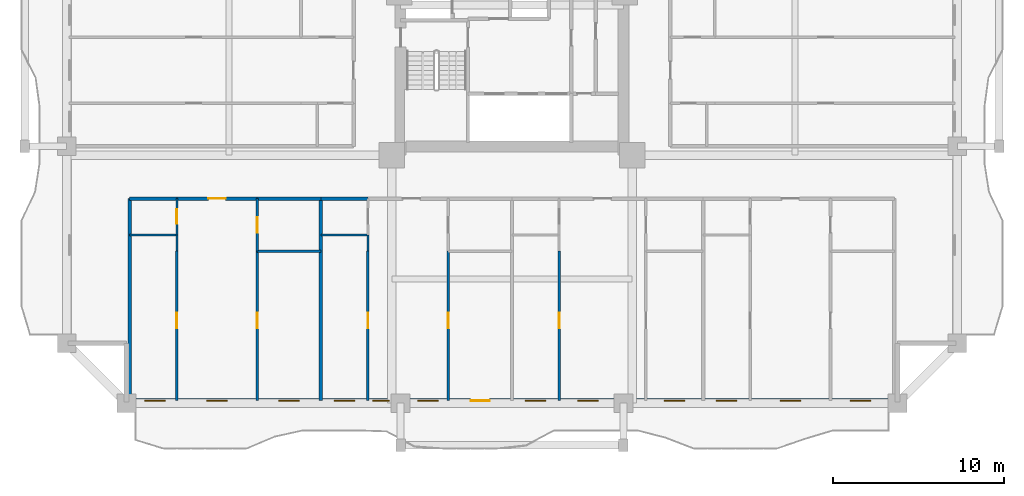
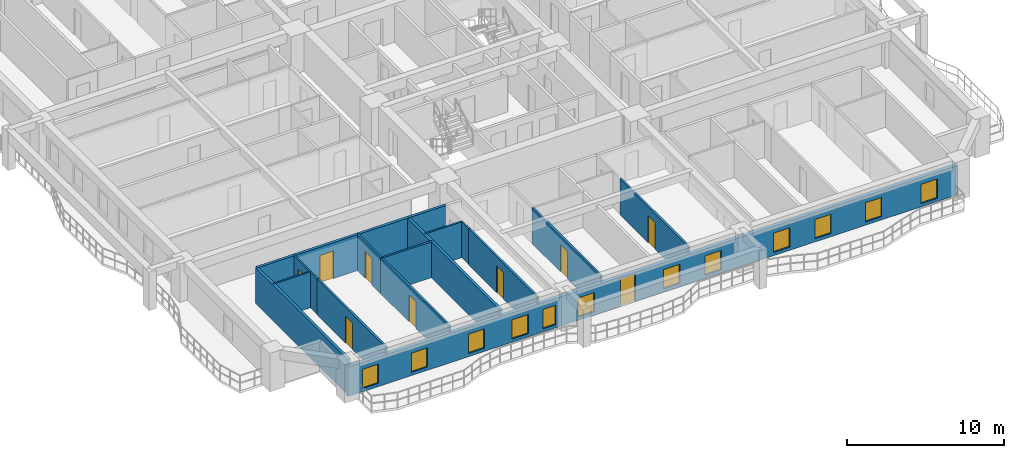
# One storey, part 2 of 16: 19 walls, 12 windows, 9 doors, 21 openings.
"""IFC4 building model written with IfcOpenShell, lengths in metres."""

from ifc_helpers import new_model, si_unit, direction, frame, frame_2d, origin, place, context, subcontext, project, spatial, rectangle, extrude, source, transform, mapped, material, layer, layer_set, type_object, element, fill, save


model = new_model("IFC4")

# Units and contexts
model_context = context("Model", 3, precision=1e-05, world=origin(), true_north=direction((0.0, 1.0)))
body_context = subcontext(model_context, "Body", "Model", "MODEL_VIEW")
ifc_project = project(units=[si_unit("LENGTHUNIT", "METRE"), si_unit("AREAUNIT", "SQUARE_METRE"), si_unit("VOLUMEUNIT", "CUBIC_METRE"), si_unit("PLANEANGLEUNIT", "RADIAN"), si_unit("MASSUNIT", "GRAM", prefix="KILO")], contexts=[model_context])

# Site, building, storey
site_placement = place(None, origin())
site = spatial("IfcSite", under=ifc_project, at=site_placement, CompositionType="ELEMENT")
building_placement = place(site_placement, origin())
building = spatial("IfcBuilding", under=site, at=building_placement, Name="Saelheon Loggia Tower", CompositionType="ELEMENT")
storey_placement = place(building_placement, frame((0.0, 0.0, 64.39990234375)))
storey = spatial("IfcBuildingStorey", under=building, at=storey_placement, Name="L20", CompositionType="ELEMENT", Elevation=64.39990234375)

# Wall, openings, windows, door
ifc_material_1 = material(Name="Architectural Precast Concrete C40/50", Category="concrete")
ifc_layer_1 = layer(ifc_material_1, 0.280029296875)
ifc_layer_set_1 = layer_set([ifc_layer_1], Name="Architectural Precast Concrete C40/50")
wall_type_1 = type_object("IfcWallType", Name="Wall_Ext_Loggia_280", PredefinedType="SOLIDWALL", material=ifc_layer_set_1)
wall_1_placement = place(storey_placement, frame((15.5, 3.139892578125, 0.0), z_axis=(0.0, 0.0, 1.0), x_axis=(1.0, 0.0, 0.0)))
wall_1 = element("IfcWall", 1, at=wall_1_placement, inside=storey, type_object=wall_type_1, Name="L20 South Loggia Inner Wall", PredefinedType="SOLIDWALL", context=body_context, shape_type="SweptSolid", body=[
    extrude(rectangle(XDim=45.0, YDim=0.280029296875, at=frame_2d((22.5, 0.0))), origin(), (0.0, 0.0, 1.0), 2.280029296875),
])
opening_1_placement = place(wall_1_placement, frame((1.06005859375, 0.0, 0.25)))
opening_1 = element("IfcOpeningElement", 2, at=opening_1_placement, cuts=wall_1, Name="Opening WN-03", PredefinedType="OPENING", context=body_context, shape_type="SweptSolid", body=[
    extrude(rectangle(XDim=1.199951171875, YDim=1.5, at=frame_2d((0.60009765625, 0.75))), frame((0.0, 0.152099609375, 0.0), z_axis=(0.0, -1.0, 0.0), x_axis=(1.0, 0.0, 0.0)), (0.0, 0.0, 1.0), 0.303955078125),
])
opening_2_placement = place(wall_1_placement, frame((4.673583984375, 0.0, 0.25)))
opening_2 = element("IfcOpeningElement", 3, at=opening_2_placement, cuts=wall_1, Name="Opening WN-03", PredefinedType="OPENING", context=body_context, shape_type="SweptSolid", body=[
    extrude(rectangle(XDim=1.199951171875, YDim=1.5, at=frame_2d((0.60009765625, 0.75))), frame((0.0, 0.152099609375, 0.0), z_axis=(0.0, -1.0, 0.0), x_axis=(1.0, 0.0, 0.0)), (0.0, 0.0, 1.0), 0.303955078125),
])
opening_3_placement = place(wall_1_placement, frame((8.878662109375, 0.0, 0.25)))
opening_3 = element("IfcOpeningElement", 4, at=opening_3_placement, cuts=wall_1, Name="Opening WN-03", PredefinedType="OPENING", context=body_context, shape_type="SweptSolid", body=[
    extrude(rectangle(XDim=1.199951171875, YDim=1.5, at=frame_2d((0.60009765625, 0.75))), frame((0.0, 0.152099609375, 0.0), z_axis=(0.0, -1.0, 0.0), x_axis=(1.0, 0.0, 0.0)), (0.0, 0.0, 1.0), 0.303955078125),
])
opening_4_placement = place(wall_1_placement, frame((12.114990234375, 0.0, 0.25)))
opening_4 = element("IfcOpeningElement", 5, at=opening_4_placement, cuts=wall_1, Name="Opening WN-03", PredefinedType="OPENING", context=body_context, shape_type="SweptSolid", body=[
    extrude(rectangle(XDim=1.199951171875, YDim=1.5, at=frame_2d((0.60009765625, 0.75))), frame((0.0, 0.152099609375, 0.0), z_axis=(0.0, -1.0, 0.0), x_axis=(1.0, 0.0, 0.0)), (0.0, 0.0, 1.0), 0.303955078125),
])
opening_5_placement = place(wall_1_placement, frame((14.375, 0.0, 0.25)))
opening_5 = element("IfcOpeningElement", 6, at=opening_5_placement, cuts=wall_1, Name="Opening WN-04", PredefinedType="OPENING", context=body_context, shape_type="SweptSolid", body=[
    extrude(rectangle(XDim=0.949951171875, YDim=1.5, at=frame_2d((0.47509765625, 0.75))), frame((0.0, 0.152099609375, 0.0), z_axis=(0.0, -1.0, 0.0), x_axis=(1.0, 0.0, 0.0)), (0.0, 0.0, 1.0), 0.303955078125),
])
opening_6_placement = place(wall_1_placement, frame((16.983642578125, 0.0, 0.25)))
opening_6 = element("IfcOpeningElement", 7, at=opening_6_placement, cuts=wall_1, Name="Opening WN-03", PredefinedType="OPENING", context=body_context, shape_type="SweptSolid", body=[
    extrude(rectangle(XDim=1.199951171875, YDim=1.5, at=frame_2d((0.60009765625, 0.75))), frame((0.0, 0.152099609375, 0.0), z_axis=(0.0, -1.0, 0.0), x_axis=(1.0, 0.0, 0.0)), (0.0, 0.0, 1.0), 0.303955078125),
])
opening_7_placement = place(wall_1_placement, frame((21.188720703125, 0.0, 0.0), z_axis=(0.0, 0.0, 1.0), x_axis=(-1.0, 0.0, 0.0)))
opening_7 = element("IfcOpeningElement", 8, at=opening_7_placement, cuts=wall_1, Name="Opening TD1", PredefinedType="OPENING", context=body_context, shape_type="SweptSolid", body=[
    extrude(rectangle(XDim=1.10009765625, YDim=2.14990234375, at=frame_2d((0.550048828125, 1.074951171875))), frame((0.0, 0.152099609375, 0.0), z_axis=(0.0, -1.0, 0.0), x_axis=(1.0, 0.0, 0.0)), (0.0, 0.0, 1.0), 0.303955078125),
])
opening_8_placement = place(wall_1_placement, frame((23.27490234375, 0.0, 0.25)))
opening_8 = element("IfcOpeningElement", 9, at=opening_8_placement, cuts=wall_1, Name="Opening WN-03", PredefinedType="OPENING", context=body_context, shape_type="SweptSolid", body=[
    extrude(rectangle(XDim=1.199951171875, YDim=1.5, at=frame_2d((0.60009765625, 0.75))), frame((0.0, 0.152099609375, 0.0), z_axis=(0.0, -1.0, 0.0), x_axis=(1.0, 0.0, 0.0)), (0.0, 0.0, 1.0), 0.303955078125),
])
opening_9_placement = place(wall_1_placement, frame((26.330078125, 0.0, 0.25)))
opening_9 = element("IfcOpeningElement", 10, at=opening_9_placement, cuts=wall_1, Name="Opening WN-03", PredefinedType="OPENING", context=body_context, shape_type="SweptSolid", body=[
    extrude(rectangle(XDim=1.199951171875, YDim=1.5, at=frame_2d((0.60009765625, 0.75))), frame((0.0, 0.152099609375, 0.0), z_axis=(0.0, -1.0, 0.0), x_axis=(1.0, 0.0, 0.0)), (0.0, 0.0, 1.0), 0.303955078125),
])
opening_10_placement = place(wall_1_placement, frame((31.389892578125, 0.0, 0.25)))
opening_10 = element("IfcOpeningElement", 11, at=opening_10_placement, cuts=wall_1, Name="Opening WN-03", PredefinedType="OPENING", context=body_context, shape_type="SweptSolid", body=[
    extrude(rectangle(XDim=1.199951171875, YDim=1.5, at=frame_2d((0.60009765625, 0.75))), frame((0.0, 0.152099609375, 0.0), z_axis=(0.0, -1.0, 0.0), x_axis=(1.0, 0.0, 0.0)), (0.0, 0.0, 1.0), 0.303955078125),
])
opening_11_placement = place(wall_1_placement, frame((34.43505859375, 0.0, 0.25)))
opening_11 = element("IfcOpeningElement", 12, at=opening_11_placement, cuts=wall_1, Name="Opening WN-03", PredefinedType="OPENING", context=body_context, shape_type="SweptSolid", body=[
    extrude(rectangle(XDim=1.199951171875, YDim=1.5, at=frame_2d((0.60009765625, 0.75))), frame((0.0, 0.152099609375, 0.0), z_axis=(0.0, -1.0, 0.0), x_axis=(1.0, 0.0, 0.0)), (0.0, 0.0, 1.0), 0.303955078125),
])
opening_12_placement = place(wall_1_placement, frame((38.153564453125, 0.0, 0.25)))
opening_12 = element("IfcOpeningElement", 13, at=opening_12_placement, cuts=wall_1, Name="Opening WN-03", PredefinedType="OPENING", context=body_context, shape_type="SweptSolid", body=[
    extrude(rectangle(XDim=1.199951171875, YDim=1.5, at=frame_2d((0.60009765625, 0.75))), frame((0.0, 0.152099609375, 0.0), z_axis=(0.0, -1.0, 0.0), x_axis=(1.0, 0.0, 0.0)), (0.0, 0.0, 1.0), 0.303955078125),
])
opening_13_placement = place(wall_1_placement, frame((42.253662109375, 0.0, 0.25)))
opening_13 = element("IfcOpeningElement", 14, at=opening_13_placement, cuts=wall_1, Name="Opening WN-03", PredefinedType="OPENING", context=body_context, shape_type="SweptSolid", body=[
    extrude(rectangle(XDim=1.199951171875, YDim=1.5, at=frame_2d((0.60009765625, 0.75))), frame((0.0, 0.152099609375, 0.0), z_axis=(0.0, -1.0, 0.0), x_axis=(1.0, 0.0, 0.0)), (0.0, 0.0, 1.0), 0.303955078125),
])
ifc_material_2 = material(Name="Thermal-Break Aluminium and Triple Low-E Glass", Category="aluminium")
window_type_1 = type_object("IfcWindowType", Name="Win_Bedroom_1200x1500", PartitioningType="SINGLE_PANEL", PredefinedType="WINDOW", material=ifc_material_2)
shared_shape_1 = source(origin(), body_context, "Body", "SweptSolid", [
    extrude(rectangle(XDim=1.199951171875, YDim=1.5, at=frame_2d((0.60009765625, 0.75))), frame((0.0, 0.030029296875, 0.0), z_axis=(0.0, -1.0, 0.0), x_axis=(1.0, 0.0, 0.0)), (0.0, 0.0, 1.0), 0.06005859375),
])
window_1_placement = place(opening_1_placement, origin())
window_1 = element("IfcWindow", 15, at=window_1_placement, inside=storey, type_object=window_type_1, Name="L20 S Dwelling Window 1", OverallHeight=1.5, OverallWidth=1.199951171875, PartitioningType="SINGLE_PANEL", PredefinedType="WINDOW", context=body_context, shape_type="MappedRepresentation", body=[
    mapped(shared_shape_1, transform((0.0, 0.0, 0.0), scale=1.0)),
])
fill(opening_1, window_1)
window_2_placement = place(opening_2_placement, origin())
window_2 = element("IfcWindow", 16, at=window_2_placement, inside=storey, type_object=window_type_1, Name="L20 S Dwelling Window 2", OverallHeight=1.5, OverallWidth=1.199951171875, PartitioningType="SINGLE_PANEL", PredefinedType="WINDOW", context=body_context, shape_type="MappedRepresentation", body=[
    mapped(shared_shape_1, transform((0.0, 0.0, 0.0), scale=1.0)),
])
fill(opening_2, window_2)
window_3_placement = place(opening_3_placement, origin())
window_3 = element("IfcWindow", 17, at=window_3_placement, inside=storey, type_object=window_type_1, Name="L20 S Dwelling Window 3", OverallHeight=1.5, OverallWidth=1.199951171875, PartitioningType="SINGLE_PANEL", PredefinedType="WINDOW", context=body_context, shape_type="MappedRepresentation", body=[
    mapped(shared_shape_1, transform((0.0, 0.0, 0.0), scale=1.0)),
])
fill(opening_3, window_3)
window_4_placement = place(opening_4_placement, origin())
window_4 = element("IfcWindow", 18, at=window_4_placement, inside=storey, type_object=window_type_1, Name="L20 S Dwelling Window 4", OverallHeight=1.5, OverallWidth=1.199951171875, PartitioningType="SINGLE_PANEL", PredefinedType="WINDOW", context=body_context, shape_type="MappedRepresentation", body=[
    mapped(shared_shape_1, transform((0.0, 0.0, 0.0), scale=1.0)),
])
fill(opening_4, window_4)
window_5_placement = place(opening_6_placement, origin())
window_5 = element("IfcWindow", 19, at=window_5_placement, inside=storey, type_object=window_type_1, Name="L20 S Dwelling Window 6", OverallHeight=1.5, OverallWidth=1.199951171875, PartitioningType="SINGLE_PANEL", PredefinedType="WINDOW", context=body_context, shape_type="MappedRepresentation", body=[
    mapped(shared_shape_1, transform((0.0, 0.0, 0.0), scale=1.0)),
])
fill(opening_6, window_5)
window_6_placement = place(opening_8_placement, origin())
window_6 = element("IfcWindow", 20, at=window_6_placement, inside=storey, type_object=window_type_1, Name="L20 S Dwelling Window 8", OverallHeight=1.5, OverallWidth=1.199951171875, PartitioningType="SINGLE_PANEL", PredefinedType="WINDOW", context=body_context, shape_type="MappedRepresentation", body=[
    mapped(shared_shape_1, transform((0.0, 0.0, 0.0), scale=1.0)),
])
fill(opening_8, window_6)
window_7_placement = place(opening_9_placement, origin())
window_7 = element("IfcWindow", 21, at=window_7_placement, inside=storey, type_object=window_type_1, Name="L20 S Dwelling Window 9", OverallHeight=1.5, OverallWidth=1.199951171875, PartitioningType="SINGLE_PANEL", PredefinedType="WINDOW", context=body_context, shape_type="MappedRepresentation", body=[
    mapped(shared_shape_1, transform((0.0, 0.0, 0.0), scale=1.0)),
])
fill(opening_9, window_7)
window_8_placement = place(opening_10_placement, origin())
window_8 = element("IfcWindow", 22, at=window_8_placement, inside=storey, type_object=window_type_1, Name="L20 S Dwelling Window 10", OverallHeight=1.5, OverallWidth=1.199951171875, PartitioningType="SINGLE_PANEL", PredefinedType="WINDOW", context=body_context, shape_type="MappedRepresentation", body=[
    mapped(shared_shape_1, transform((0.0, 0.0, 0.0), scale=1.0)),
])
fill(opening_10, window_8)
window_9_placement = place(opening_11_placement, origin())
window_9 = element("IfcWindow", 23, at=window_9_placement, inside=storey, type_object=window_type_1, Name="L20 S Dwelling Window 11", OverallHeight=1.5, OverallWidth=1.199951171875, PartitioningType="SINGLE_PANEL", PredefinedType="WINDOW", context=body_context, shape_type="MappedRepresentation", body=[
    mapped(shared_shape_1, transform((0.0, 0.0, 0.0), scale=1.0)),
])
fill(opening_11, window_9)
window_10_placement = place(opening_12_placement, origin())
window_10 = element("IfcWindow", 24, at=window_10_placement, inside=storey, type_object=window_type_1, Name="L20 S Dwelling Window 12", OverallHeight=1.5, OverallWidth=1.199951171875, PartitioningType="SINGLE_PANEL", PredefinedType="WINDOW", context=body_context, shape_type="MappedRepresentation", body=[
    mapped(shared_shape_1, transform((0.0, 0.0, 0.0), scale=1.0)),
])
fill(opening_12, window_10)
window_11_placement = place(opening_13_placement, origin())
window_11 = element("IfcWindow", 25, at=window_11_placement, inside=storey, type_object=window_type_1, Name="L20 S Dwelling Window 13", OverallHeight=1.5, OverallWidth=1.199951171875, PartitioningType="SINGLE_PANEL", PredefinedType="WINDOW", context=body_context, shape_type="MappedRepresentation", body=[
    mapped(shared_shape_1, transform((0.0, 0.0, 0.0), scale=1.0)),
])
fill(opening_13, window_11)
ifc_material_3 = material(Name="Thermal-Break Aluminium Glazed Door", Category="aluminium")
door_type_1 = type_object("IfcDoorType", Name="Door_Terrace_TD1", OperationType="NOTDEFINED", PredefinedType="DOOR", material=ifc_material_3)
shared_shape_2 = source(origin(), body_context, "Body", "SweptSolid", [
    extrude(rectangle(XDim=1.10009765625, YDim=2.14990234375, at=frame_2d((0.550048828125, 1.074951171875))), frame((0.0, 0.02490234375, 0.0), z_axis=(0.0, -1.0, 0.0), x_axis=(1.0, 0.0, 0.0)), (0.0, 0.0, 1.0), 0.050048828125),
])
door_1_placement = place(opening_7_placement, origin())
door_1 = element("IfcDoor", 26, at=door_1_placement, inside=storey, type_object=door_type_1, Name="L20 S Loggia Access Door", OperationType="SINGLE_SWING_LEFT", OverallHeight=2.14990234375, OverallWidth=1.10009765625, PredefinedType="DOOR", context=body_context, shape_type="MappedRepresentation", body=[
    mapped(shared_shape_2, transform((0.0, 0.0, 0.0), scale=1.0)),
])
fill(opening_7, door_1)
window_type_2 = type_object("IfcWindowType", Name="Win_Narrow_950x1500", PartitioningType="SINGLE_PANEL", PredefinedType="WINDOW", material=ifc_material_2)
shared_shape_3 = source(origin(), body_context, "Body", "SweptSolid", [
    extrude(rectangle(XDim=0.949951171875, YDim=1.5, at=frame_2d((0.47509765625, 0.75))), frame((0.0, 0.030029296875, 0.0), z_axis=(0.0, -1.0, 0.0), x_axis=(1.0, 0.0, 0.0)), (0.0, 0.0, 1.0), 0.06005859375),
])
window_12_placement = place(opening_5_placement, origin())
window_12 = element("IfcWindow", 27, at=window_12_placement, inside=storey, type_object=window_type_2, Name="L20 S Dwelling Window 5", OverallHeight=1.5, OverallWidth=0.949951171875, PartitioningType="SINGLE_PANEL", PredefinedType="WINDOW", context=body_context, shape_type="MappedRepresentation", body=[
    mapped(shared_shape_3, transform((0.0, 0.0, 0.0), scale=1.0)),
])
fill(opening_5, window_12)

# Wall
ifc_material_4 = material(Name="Lightweight Autoclaved Aerated Concrete Block and Acoustic Gypsum", Category="concrete")
ifc_layer_2 = layer(ifc_material_4, 0.14990234375)
ifc_layer_set_2 = layer_set([ifc_layer_2], Name="Lightweight Autoclaved Aerated Concrete Block and Acoustic Gypsum")
wall_type_2 = type_object("IfcWallType", Name="Wall_Part_150", PredefinedType="PARTITIONING", material=ifc_layer_set_2)
wall_2_placement = place(storey_placement, frame((23.1171875, 11.8798828125, 0.0), z_axis=(0.0, 0.0, 1.0), x_axis=(1.0, 0.0, 0.0)))
element("IfcWall", 28, at=wall_2_placement, inside=storey, type_object=wall_type_2, Name="L20 S Partition V07", PredefinedType="PARTITIONING", context=body_context, shape_type="SweptSolid", body=[
    extrude(rectangle(XDim=3.722900390625, YDim=0.14990234375, at=frame_2d((1.861328125, 0.0))), origin(), (0.0, 0.0, 1.0), 2.7900390625),
])

# Wall, opening, door
wall_3_placement = place(storey_placement, frame((18.429931640625, 11.8798828125, 0.0), z_axis=(0.0, 0.0, 1.0), x_axis=(0.0, -1.0, 0.0)))
wall_3 = element("IfcWall", 29, at=wall_3_placement, inside=storey, type_object=wall_type_2, Name="L20 S Partition U10", PredefinedType="PARTITIONING", context=body_context, shape_type="SweptSolid", body=[
    extrude(rectangle(XDim=8.72998046875, YDim=0.14990234375, at=frame_2d((4.364990234375, 0.0))), origin(), (0.0, 0.0, 1.0), 2.7900390625),
])
opening_14_placement = place(wall_3_placement, frame((3.608642578125, 0.0, 0.0)))
opening_14 = element("IfcOpeningElement", 30, at=opening_14_placement, cuts=wall_3, Name="Opening D-IN2", PredefinedType="OPENING", context=body_context, shape_type="SweptSolid", body=[
    extrude(rectangle(XDim=0.89990234375, YDim=2.10009765625, at=frame_2d((0.449951171875, 1.050048828125))), frame((0.0, 0.0869140625, 0.0), z_axis=(0.0, -1.0, 0.0), x_axis=(1.0, 0.0, 0.0)), (0.0, 0.0, 1.0), 0.173828125),
])
ifc_material_5 = material(Name="Engineered Oak Flush Door", Category="timber")
door_type_2 = type_object("IfcDoorType", Name="Door_Int_900", OperationType="NOTDEFINED", PredefinedType="DOOR", material=ifc_material_5)
shared_shape_4 = source(origin(), body_context, "Body", "SweptSolid", [
    extrude(rectangle(XDim=0.89990234375, YDim=2.10009765625, at=frame_2d((0.449951171875, 1.050048828125))), frame((0.0, 0.02490234375, 0.0), z_axis=(0.0, -1.0, 0.0), x_axis=(1.0, 0.0, 0.0)), (0.0, 0.0, 1.0), 0.050048828125),
])
door_2_placement = place(opening_14_placement, origin())
door_2 = element("IfcDoor", 31, at=door_2_placement, inside=storey, type_object=door_type_2, Name="Unit U01 Kitchen Door", OperationType="SINGLE_SWING_RIGHT", OverallHeight=2.10009765625, OverallWidth=0.89990234375, PredefinedType="DOOR", context=body_context, shape_type="MappedRepresentation", body=[
    mapped(shared_shape_4, transform((0.0, 0.0, 0.0), scale=1.0)),
])
fill(opening_14, door_2)

wall_4_placement = place(storey_placement, frame((23.1171875, 14.949951171875, 0.0), z_axis=(0.0, 0.0, 1.0), x_axis=(0.0, -1.0, 0.0)))
wall_4 = element("IfcWall", 32, at=wall_4_placement, inside=storey, type_object=wall_type_2, Name="L20 S Partition U11", PredefinedType="PARTITIONING", context=body_context, shape_type="SweptSolid", body=[
    extrude(rectangle(XDim=3.070068359375, YDim=0.14990234375, at=frame_2d((1.53515625, 0.0))), origin(), (0.0, 0.0, 1.0), 2.7900390625),
])
opening_15_placement = place(wall_4_placement, frame((1.0849609375, 0.0, 0.0)))
opening_15 = element("IfcOpeningElement", 33, at=opening_15_placement, cuts=wall_4, Name="Opening D-IN2", PredefinedType="OPENING", context=body_context, shape_type="SweptSolid", body=[
    extrude(rectangle(XDim=0.89990234375, YDim=2.10009765625, at=frame_2d((0.449951171875, 1.050048828125))), frame((0.0, 0.0869140625, 0.0), z_axis=(0.0, -1.0, 0.0), x_axis=(1.0, 0.0, 0.0)), (0.0, 0.0, 1.0), 0.173828125),
])
door_3_placement = place(opening_15_placement, origin())
door_3 = element("IfcDoor", 34, at=door_3_placement, inside=storey, type_object=door_type_2, Name="Unit U01 Home Office Door", OperationType="SINGLE_SWING_LEFT", OverallHeight=2.10009765625, OverallWidth=0.89990234375, PredefinedType="DOOR", context=body_context, shape_type="MappedRepresentation", body=[
    mapped(shared_shape_4, transform((0.0, 0.0, 0.0), scale=1.0)),
])
fill(opening_15, door_3)

wall_5_placement = place(storey_placement, frame((23.1171875, 11.8798828125, 0.0), z_axis=(0.0, 0.0, 1.0), x_axis=(0.0, -1.0, 0.0)))
wall_5 = element("IfcWall", 35, at=wall_5_placement, inside=storey, type_object=wall_type_2, Name="L20 S Partition U12", PredefinedType="PARTITIONING", context=body_context, shape_type="SweptSolid", body=[
    extrude(rectangle(XDim=8.72998046875, YDim=0.14990234375, at=frame_2d((4.364990234375, 0.0))), origin(), (0.0, 0.0, 1.0), 2.7900390625),
])
opening_16_placement = place(wall_5_placement, frame((3.608642578125, 0.0, 0.0)))
opening_16 = element("IfcOpeningElement", 36, at=opening_16_placement, cuts=wall_5, Name="Opening D-IN2", PredefinedType="OPENING", context=body_context, shape_type="SweptSolid", body=[
    extrude(rectangle(XDim=0.89990234375, YDim=2.10009765625, at=frame_2d((0.449951171875, 1.050048828125))), frame((0.0, 0.0869140625, 0.0), z_axis=(0.0, -1.0, 0.0), x_axis=(1.0, 0.0, 0.0)), (0.0, 0.0, 1.0), 0.173828125),
])
door_4_placement = place(opening_16_placement, origin())
door_4 = element("IfcDoor", 37, at=door_4_placement, inside=storey, type_object=door_type_2, Name="Unit U01 Bedroom 1 Door", OperationType="SINGLE_SWING_RIGHT", OverallHeight=2.10009765625, OverallWidth=0.89990234375, PredefinedType="DOOR", context=body_context, shape_type="MappedRepresentation", body=[
    mapped(shared_shape_4, transform((0.0, 0.0, 0.0), scale=1.0)),
])
fill(opening_16, door_4)

wall_6_placement = place(storey_placement, frame((29.590087890625, 11.8798828125, 0.0), z_axis=(0.0, 0.0, 1.0), x_axis=(0.0, -1.0, 0.0)))
wall_6 = element("IfcWall", 38, at=wall_6_placement, inside=storey, type_object=wall_type_2, Name="L20 S Partition U21", PredefinedType="PARTITIONING", context=body_context, shape_type="SweptSolid", body=[
    extrude(rectangle(XDim=8.72998046875, YDim=0.14990234375, at=frame_2d((4.364990234375, 0.0))), origin(), (0.0, 0.0, 1.0), 2.7900390625),
])
opening_17_placement = place(wall_6_placement, frame((3.608642578125, 0.0, 0.0)))
opening_17 = element("IfcOpeningElement", 39, at=opening_17_placement, cuts=wall_6, Name="Opening D-IN2", PredefinedType="OPENING", context=body_context, shape_type="SweptSolid", body=[
    extrude(rectangle(XDim=0.89990234375, YDim=2.10009765625, at=frame_2d((0.449951171875, 1.050048828125))), frame((0.0, 0.0869140625, 0.0), z_axis=(0.0, -1.0, 0.0), x_axis=(1.0, 0.0, 0.0)), (0.0, 0.0, 1.0), 0.173828125),
])
door_5_placement = place(opening_17_placement, origin())
door_5 = element("IfcDoor", 40, at=door_5_placement, inside=storey, type_object=door_type_2, Name="Unit U02 Kitchen Door", OperationType="SINGLE_SWING_LEFT", OverallHeight=2.10009765625, OverallWidth=0.89990234375, PredefinedType="DOOR", context=body_context, shape_type="MappedRepresentation", body=[
    mapped(shared_shape_4, transform((0.0, 0.0, 0.0), scale=1.0)),
])
fill(opening_17, door_5)

wall_7_placement = place(storey_placement, frame((34.277099609375, 11.8798828125, 0.0), z_axis=(0.0, 0.0, 1.0), x_axis=(0.0, -1.0, 0.0)))
wall_7 = element("IfcWall", 41, at=wall_7_placement, inside=storey, type_object=wall_type_2, Name="L20 S Partition U23", PredefinedType="PARTITIONING", context=body_context, shape_type="SweptSolid", body=[
    extrude(rectangle(XDim=8.72998046875, YDim=0.14990234375, at=frame_2d((4.364990234375, 0.0))), origin(), (0.0, 0.0, 1.0), 2.7900390625),
])
opening_18_placement = place(wall_7_placement, frame((3.608642578125, 0.0, 0.0)))
opening_18 = element("IfcOpeningElement", 42, at=opening_18_placement, cuts=wall_7, Name="Opening D-IN2", PredefinedType="OPENING", context=body_context, shape_type="SweptSolid", body=[
    extrude(rectangle(XDim=0.89990234375, YDim=2.10009765625, at=frame_2d((0.449951171875, 1.050048828125))), frame((0.0, 0.0869140625, 0.0), z_axis=(0.0, -1.0, 0.0), x_axis=(1.0, 0.0, 0.0)), (0.0, 0.0, 1.0), 0.173828125),
])
door_6_placement = place(opening_18_placement, origin())
door_6 = element("IfcDoor", 43, at=door_6_placement, inside=storey, type_object=door_type_2, Name="Unit U02 Bedroom 1 Door", OperationType="SINGLE_SWING_LEFT", OverallHeight=2.10009765625, OverallWidth=0.89990234375, PredefinedType="DOOR", context=body_context, shape_type="MappedRepresentation", body=[
    mapped(shared_shape_4, transform((0.0, 0.0, 0.0), scale=1.0)),
])
fill(opening_18, door_6)

wall_8_placement = place(storey_placement, frame((40.75, 11.8798828125, 0.0), z_axis=(0.0, 0.0, 1.0), x_axis=(0.0, -1.0, 0.0)))
wall_8 = element("IfcWall", 44, at=wall_8_placement, inside=storey, type_object=wall_type_2, Name="L20 S Partition U32", PredefinedType="PARTITIONING", context=body_context, shape_type="SweptSolid", body=[
    extrude(rectangle(XDim=8.72998046875, YDim=0.14990234375, at=frame_2d((4.364990234375, 0.0))), origin(), (0.0, 0.0, 1.0), 2.7900390625),
])
opening_19_placement = place(wall_8_placement, frame((3.608642578125, 0.0, 0.0)))
opening_19 = element("IfcOpeningElement", 45, at=opening_19_placement, cuts=wall_8, Name="Opening D-IN2", PredefinedType="OPENING", context=body_context, shape_type="SweptSolid", body=[
    extrude(rectangle(XDim=0.89990234375, YDim=2.10009765625, at=frame_2d((0.449951171875, 1.050048828125))), frame((0.0, 0.0869140625, 0.0), z_axis=(0.0, -1.0, 0.0), x_axis=(1.0, 0.0, 0.0)), (0.0, 0.0, 1.0), 0.173828125),
])
door_7_placement = place(opening_19_placement, origin())
door_7 = element("IfcDoor", 46, at=door_7_placement, inside=storey, type_object=door_type_2, Name="Unit U03 Kitchen Door", OperationType="SINGLE_SWING_RIGHT", OverallHeight=2.10009765625, OverallWidth=0.89990234375, PredefinedType="DOOR", context=body_context, shape_type="MappedRepresentation", body=[
    mapped(shared_shape_4, transform((0.0, 0.0, 0.0), scale=1.0)),
])
fill(opening_19, door_7)

# Walls
ifc_material_6 = material(Name="Double Acoustic Stud and Fireboard Partition", Category="gypsum")
ifc_layer_3 = layer(ifc_material_6, 0.199951171875)
ifc_layer_set_3 = layer_set([ifc_layer_3], Name="Double Acoustic Stud and Fireboard Partition")
wall_type_3 = type_object("IfcWallType", Name="Wall_Party_200", PredefinedType="PARTITIONING", material=ifc_layer_set_3)
wall_9_placement = place(storey_placement, frame((15.679931640625, 14.949951171875, 0.0), z_axis=(0.0, 0.0, 1.0), x_axis=(0.0, -1.0, 0.0)))
element("IfcWall", 47, at=wall_9_placement, inside=storey, type_object=wall_type_3, Name="L20 S Partition U01", PredefinedType="PARTITIONING", context=body_context, shape_type="SweptSolid", body=[
    extrude(rectangle(XDim=11.800048828125, YDim=0.199951171875, at=frame_2d((5.89990234375, 0.0))), origin(), (0.0, 0.0, 1.0), 2.7900390625),
])
wall_10_placement = place(storey_placement, frame((15.679931640625, 14.949951171875, 0.0), z_axis=(0.0, 0.0, 1.0), x_axis=(1.0, 0.0, 0.0)))
element("IfcWall", 48, at=wall_10_placement, inside=storey, type_object=wall_type_3, Name="L20 S Partition V03", PredefinedType="PARTITIONING", context=body_context, shape_type="SweptSolid", body=[
    extrude(rectangle(XDim=2.75, YDim=0.199951171875, at=frame_2d((1.375, 0.0))), origin(), (0.0, 0.0, 1.0), 2.7900390625),
])

# Wall, opening, door
wall_11_placement = place(storey_placement, frame((18.429931640625, 14.949951171875, 0.0), z_axis=(0.0, 0.0, 1.0), x_axis=(1.0, 0.0, 0.0)))
wall_11 = element("IfcWall", 49, at=wall_11_placement, inside=storey, type_object=wall_type_3, Name="L20 S Partition V04", PredefinedType="PARTITIONING", context=body_context, shape_type="SweptSolid", body=[
    extrude(rectangle(XDim=4.687255859375, YDim=0.199951171875, at=frame_2d((2.34375, 0.0))), origin(), (0.0, 0.0, 1.0), 2.7900390625),
])
opening_20_placement = place(wall_11_placement, frame((1.843505859375, 0.0, 0.0)))
opening_20 = element("IfcOpeningElement", 50, at=opening_20_placement, cuts=wall_11, Name="Opening D-FD1", PredefinedType="OPENING", context=body_context, shape_type="SweptSolid", body=[
    extrude(rectangle(XDim=1.0, YDim=2.14990234375, at=frame_2d((0.5, 1.074951171875))), frame((0.0, 0.112060546875, 0.0), z_axis=(0.0, -1.0, 0.0), x_axis=(1.0, 0.0, 0.0)), (0.0, 0.0, 1.0), 0.223876953125),
])
ifc_material_7 = material(Name="Fire-Rated Engineered Timber Entrance Door", Category="wood")
door_type_3 = type_object("IfcDoorType", Name="Door_Flat_FD30S", OperationType="NOTDEFINED", PredefinedType="DOOR", material=ifc_material_7)
shared_shape_5 = source(origin(), body_context, "Body", "SweptSolid", [
    extrude(rectangle(XDim=1.0, YDim=2.14990234375, at=frame_2d((0.5, 1.074951171875))), frame((0.0, 0.02490234375, 0.0), z_axis=(0.0, -1.0, 0.0), x_axis=(1.0, 0.0, 0.0)), (0.0, 0.0, 1.0), 0.050048828125),
])
door_8_placement = place(opening_20_placement, origin())
door_8 = element("IfcDoor", 51, at=door_8_placement, inside=storey, type_object=door_type_3, Name="Unit U01 Entrance Door", OperationType="SINGLE_SWING_RIGHT", OverallHeight=2.14990234375, OverallWidth=1.0, PredefinedType="DOOR", context=body_context, shape_type="MappedRepresentation", body=[
    mapped(shared_shape_5, transform((0.0, 0.0, 0.0), scale=1.0)),
])
fill(opening_20, door_8)

# Walls
wall_12_placement = place(storey_placement, frame((23.1171875, 14.949951171875, 0.0), z_axis=(0.0, 0.0, 1.0), x_axis=(1.0, 0.0, 0.0)))
element("IfcWall", 52, at=wall_12_placement, inside=storey, type_object=wall_type_3, Name="L20 S Partition V05", PredefinedType="PARTITIONING", context=body_context, shape_type="SweptSolid", body=[
    extrude(rectangle(XDim=3.722900390625, YDim=0.199951171875, at=frame_2d((1.861328125, 0.0))), origin(), (0.0, 0.0, 1.0), 2.7900390625),
])
wall_13_placement = place(storey_placement, frame((26.840087890625, 14.949951171875, 0.0), z_axis=(0.0, 0.0, 1.0), x_axis=(0.0, -1.0, 0.0)))
element("IfcWall", 53, at=wall_13_placement, inside=storey, type_object=wall_type_3, Name="L20 S Partition U13", PredefinedType="PARTITIONING", context=body_context, shape_type="SweptSolid", body=[
    extrude(rectangle(XDim=11.800048828125, YDim=0.199951171875, at=frame_2d((5.89990234375, 0.0))), origin(), (0.0, 0.0, 1.0), 2.7900390625),
])
wall_14_placement = place(storey_placement, frame((26.840087890625, 14.949951171875, 0.0), z_axis=(0.0, 0.0, 1.0), x_axis=(1.0, 0.0, 0.0)))
element("IfcWall", 54, at=wall_14_placement, inside=storey, type_object=wall_type_3, Name="L20 S Partition V14", PredefinedType="PARTITIONING", context=body_context, shape_type="SweptSolid", body=[
    extrude(rectangle(XDim=2.75, YDim=0.199951171875, at=frame_2d((1.375, 0.0))), origin(), (0.0, 0.0, 1.0), 2.7900390625),
])
ifc_material_8 = material(Name="Moisture-Resistant Cement Board Partition", Category="gypsum")
ifc_layer_4 = layer(ifc_material_8, 0.1201171875)
ifc_layer_set_4 = layer_set([ifc_layer_4], Name="Moisture-Resistant Cement Board Partition")
wall_type_4 = type_object("IfcWallType", Name="Wall_WetPart_120", PredefinedType="PARTITIONING", material=ifc_layer_set_4)
wall_15_placement = place(storey_placement, frame((15.679931640625, 12.830078125, 0.0), z_axis=(0.0, 0.0, 1.0), x_axis=(1.0, 0.0, 0.0)))
element("IfcWall", 55, at=wall_15_placement, inside=storey, type_object=wall_type_4, Name="L20 S Partition V06", PredefinedType="PARTITIONING", context=body_context, shape_type="SweptSolid", body=[
    extrude(rectangle(XDim=2.75, YDim=0.1201171875, at=frame_2d((1.375, 0.0))), origin(), (0.0, 0.0, 1.0), 2.7900390625),
])

# Wall, opening, door
wall_16_placement = place(storey_placement, frame((18.429931640625, 14.949951171875, 0.0), z_axis=(0.0, 0.0, 1.0), x_axis=(0.0, -1.0, 0.0)))
wall_16 = element("IfcWall", 56, at=wall_16_placement, inside=storey, type_object=wall_type_4, Name="L20 S Partition U08", PredefinedType="PARTITIONING", context=body_context, shape_type="SweptSolid", body=[
    extrude(rectangle(XDim=2.119873046875, YDim=0.1201171875, at=frame_2d((1.06005859375, 0.0))), origin(), (0.0, 0.0, 1.0), 2.7900390625),
])
opening_21_placement = place(wall_16_placement, frame((0.635009765625, 0.0, 0.0)))
opening_21 = element("IfcOpeningElement", 57, at=opening_21_placement, cuts=wall_16, Name="Opening D-BT1", PredefinedType="OPENING", context=body_context, shape_type="SweptSolid", body=[
    extrude(rectangle(XDim=0.85009765625, YDim=2.050048828125, at=frame_2d((0.425048828125, 1.02490234375))), frame((0.0, 0.072021484375, 0.0), z_axis=(0.0, -1.0, 0.0), x_axis=(1.0, 0.0, 0.0)), (0.0, 0.0, 1.0), 0.14404296875),
])
ifc_material_9 = material(Name="Moisture-Resistant Laminate Timber Door", Category="wood")
door_type_4 = type_object("IfcDoorType", Name="Door_Bath_850", OperationType="NOTDEFINED", PredefinedType="DOOR", material=ifc_material_9)
shared_shape_6 = source(origin(), body_context, "Body", "SweptSolid", [
    extrude(rectangle(XDim=0.85009765625, YDim=2.050048828125, at=frame_2d((0.425048828125, 1.02490234375))), frame((0.0, 0.02490234375, 0.0), z_axis=(0.0, -1.0, 0.0), x_axis=(1.0, 0.0, 0.0)), (0.0, 0.0, 1.0), 0.050048828125),
])
door_9_placement = place(opening_21_placement, origin())
door_9 = element("IfcDoor", 58, at=door_9_placement, inside=storey, type_object=door_type_4, Name="Unit U01 Bathroom Door", OperationType="SINGLE_SWING_LEFT", OverallHeight=2.050048828125, OverallWidth=0.85009765625, PredefinedType="DOOR", context=body_context, shape_type="MappedRepresentation", body=[
    mapped(shared_shape_6, transform((0.0, 0.0, 0.0), scale=1.0)),
])
fill(opening_21, door_9)

# Walls
wall_17_placement = place(storey_placement, frame((18.429931640625, 12.830078125, 0.0), z_axis=(0.0, 0.0, 1.0), x_axis=(0.0, -1.0, 0.0)))
element("IfcWall", 59, at=wall_17_placement, inside=storey, type_object=wall_type_4, Name="L20 S Partition U09", PredefinedType="PARTITIONING", context=body_context, shape_type="SweptSolid", body=[
    extrude(rectangle(XDim=0.9501953125, YDim=0.1201171875, at=frame_2d((0.47509765625, 0.0))), origin(), (0.0, 0.0, 1.0), 2.7900390625),
])
wall_18_placement = place(storey_placement, frame((26.840087890625, 12.830078125, 0.0), z_axis=(0.0, 0.0, 1.0), x_axis=(1.0, 0.0, 0.0)))
element("IfcWall", 60, at=wall_18_placement, inside=storey, type_object=wall_type_4, Name="L20 S Partition V17", PredefinedType="PARTITIONING", context=body_context, shape_type="SweptSolid", body=[
    extrude(rectangle(XDim=2.75, YDim=0.1201171875, at=frame_2d((1.375, 0.0))), origin(), (0.0, 0.0, 1.0), 2.7900390625),
])
wall_19_placement = place(storey_placement, frame((29.590087890625, 12.830078125, 0.0), z_axis=(0.0, 0.0, 1.0), x_axis=(0.0, -1.0, 0.0)))
element("IfcWall", 61, at=wall_19_placement, inside=storey, type_object=wall_type_4, Name="L20 S Partition U20", PredefinedType="PARTITIONING", context=body_context, shape_type="SweptSolid", body=[
    extrude(rectangle(XDim=0.9501953125, YDim=0.1201171875, at=frame_2d((0.47509765625, 0.0))), origin(), (0.0, 0.0, 1.0), 2.7900390625),
])

save(model, "model.ifc")
